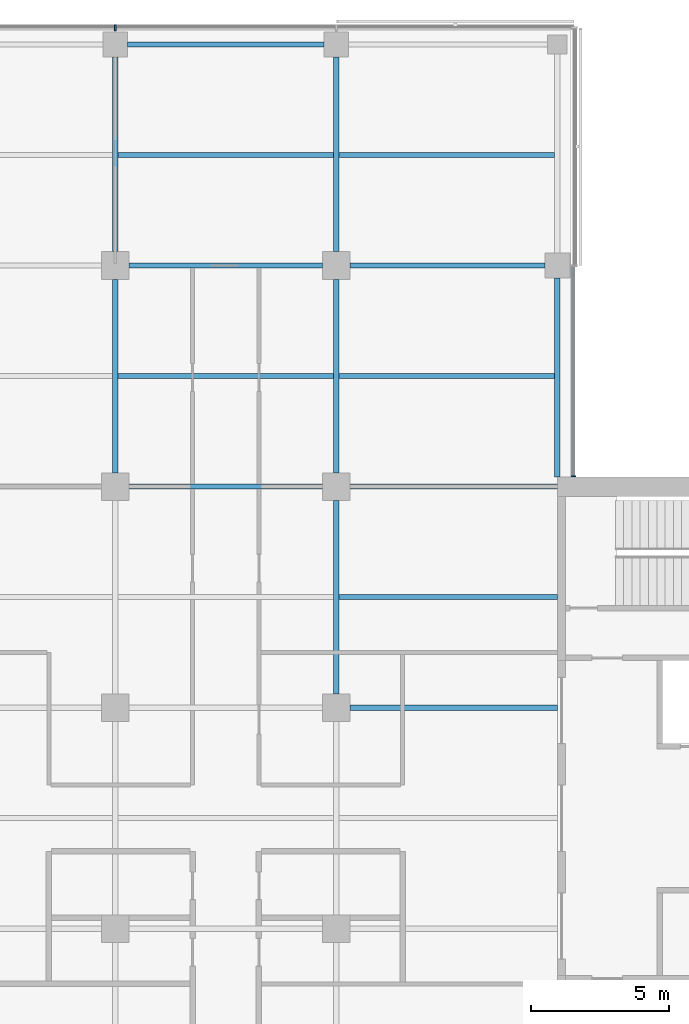
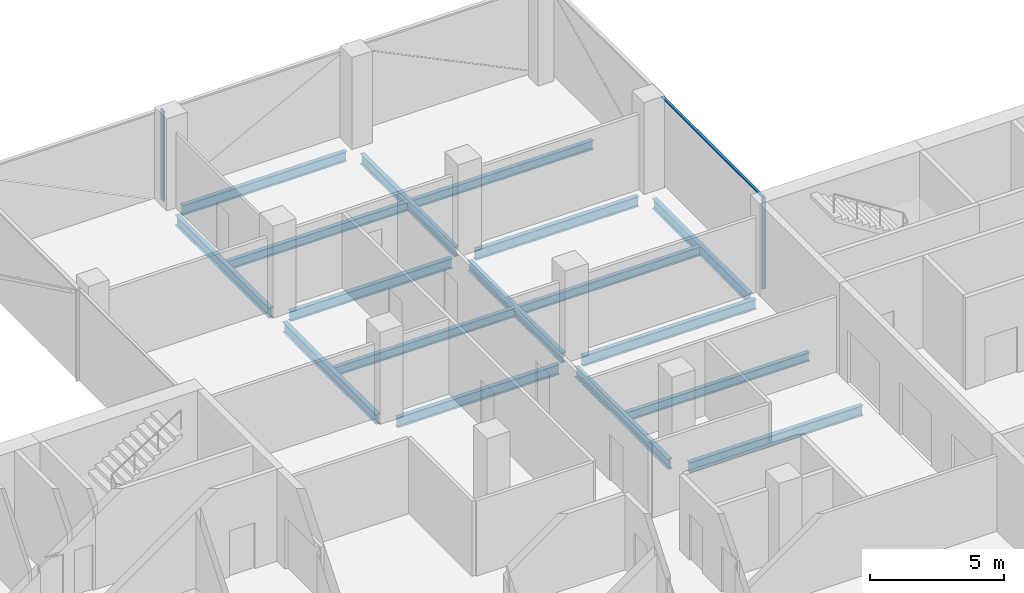
# One storey, part 9 of 22: 17 beams, 3 members, 2 elements without a shape of their own.
"""IFC4 building model written with IfcOpenShell, lengths in metres."""

from ifc_helpers import new_model, si_unit, direction, frame, origin, origin_2d, place, context, subcontext, project, spatial, rectangle, i_section, extrude, material, material_profile, profile_set, type_object, element, aggregate, save


model = new_model("IFC4")

# Units and contexts
model_context = context("Model", 3, precision=1e-05, world=origin(), true_north=direction((0.0, 1.0)))
body_context = subcontext(model_context, "Body", "Model", "MODEL_VIEW")
ifc_project = project(units=[si_unit("LENGTHUNIT", "METRE"), si_unit("AREAUNIT", "SQUARE_METRE"), si_unit("VOLUMEUNIT", "CUBIC_METRE"), si_unit("PLANEANGLEUNIT", "RADIAN"), si_unit("MASSUNIT", "GRAM", prefix="KILO")], contexts=[model_context])

# Site, building, storey
site_placement = place(None, origin())
site = spatial("IfcSite", under=ifc_project, at=site_placement, CompositionType="ELEMENT")
building_placement = place(site_placement, origin())
building = spatial("IfcBuilding", under=site, at=building_placement, Name="Crosswind Convention Tower", CompositionType="ELEMENT")
storey_placement = place(building_placement, frame((0.0, 0.0, 163.10009765625)))
storey = spatial("IfcBuildingStorey", under=building, at=storey_placement, Name="L34", CompositionType="ELEMENT", Elevation=163.10009765625)

# Beams
ifc_material_1 = material(Name="Steel S355", Category="steel")
ifc_material_profile_1 = material_profile(ifc_material_1, i_section(OverallWidth=0.18994140625, OverallDepth=0.45361328125, WebThickness=0.008544921875, FlangeThickness=0.0126953125, FilletRadius=0.01025390625, at=origin_2d()), Name="UB 457x191x67")
ifc_profile_set_1 = profile_set([ifc_material_profile_1], Name="Steel S355")
beam_type_1 = type_object("IfcBeamType", Name="Edge beam UB 457x191x67", PredefinedType="SPANDREL", material=ifc_profile_set_1)
beam_1_placement = place(storey_placement, frame((121.449951171875, 128.0, -0.52685546875), z_axis=(1.0, 0.0, 0.0), x_axis=(0.0, 1.0, 0.0)))
element("IfcBeam", 1, at=beam_1_placement, inside=storey, type_object=beam_type_1, Name="B16 L34 edge beam 13", PredefinedType="SPANDREL", context=body_context, shape_type="SweptSolid", body=[
    extrude(i_section(OverallWidth=0.18994140625, OverallDepth=0.45361328125, WebThickness=0.008544921875, FlangeThickness=0.0126953125, FilletRadius=0.01025390625, at=origin_2d()), origin(), (0.0, 0.0, 1.0), 7.10009765625),
])
beam_2_placement = place(storey_placement, frame((137.0, 112.35009765625, -0.52685546875), z_axis=(0.0, 1.0, 0.0), x_axis=(-1.0, 0.0, 0.0)))
element("IfcBeam", 2, at=beam_2_placement, inside=storey, type_object=beam_type_1, Name="B16 L34 edge beam 18", PredefinedType="SPANDREL", context=body_context, shape_type="SweptSolid", body=[
    extrude(i_section(OverallWidth=0.18994140625, OverallDepth=0.45361328125, WebThickness=0.008544921875, FlangeThickness=0.0126953125, FilletRadius=0.01025390625, at=origin_2d()), origin(), (0.0, 0.0, 1.0), 7.199951171875),
])
ifc_material_profile_2 = material_profile(ifc_material_1, i_section(OverallWidth=0.19140625, OverallDepth=0.460205078125, WebThickness=0.010009765625, FlangeThickness=0.01611328125, FilletRadius=0.01025390625, at=origin_2d()), Name="UB 457x191x82")
ifc_profile_set_2 = profile_set([ifc_material_profile_2], Name="Steel S355")
beam_type_2 = type_object("IfcBeamType", Name="Girder UB 457x191x82", PredefinedType="BEAM", material=ifc_profile_set_2)
beam_3_placement = place(storey_placement, frame((121.0, 112.5, -0.5302734375), z_axis=(0.0, 1.0, 0.0), x_axis=(-1.0, 0.0, 0.0)))
element("IfcBeam", 3, at=beam_3_placement, inside=storey, type_object=beam_type_2, Name="B3 L34 girder 8", PredefinedType="BEAM", context=body_context, shape_type="SweptSolid", body=[
    extrude(i_section(OverallWidth=0.19140625, OverallDepth=0.460205078125, WebThickness=0.010009765625, FlangeThickness=0.01611328125, FilletRadius=0.01025390625, at=origin_2d()), origin(), (0.0, 0.0, 1.0), 7.0),
])
beam_4_placement = place(storey_placement, frame((121.0, 120.5, -0.5302734375), z_axis=(0.0, 1.0, 0.0), x_axis=(-1.0, 0.0, 0.0)))
element("IfcBeam", 4, at=beam_4_placement, inside=storey, type_object=beam_type_2, Name="B3 L34 girder 9", PredefinedType="BEAM", context=body_context, shape_type="SweptSolid", body=[
    extrude(i_section(OverallWidth=0.19140625, OverallDepth=0.460205078125, WebThickness=0.010009765625, FlangeThickness=0.01611328125, FilletRadius=0.01025390625, at=origin_2d()), origin(), (0.0, 0.0, 1.0), 7.050048828125),
])
for number, where, z_axis, x_axis, name in (
    (5, (121.5, 112.0, -0.5302734375), (1.0, 0.0, 0.0), (0.0, 1.0, 0.0), "B3 L34 girder 14"),
    (6, (121.5, 120.0, -0.5302734375), (1.0, 0.0, 0.0), (0.0, 1.0, 0.0), "B3 L34 girder 15"),
    (7, (129.0, 104.5, -0.5302734375), (0.0, 1.0, 0.0), (-1.0, 0.0, 0.0), "B3 L34 girder 20"),
    (8, (129.0, 112.5, -0.5302734375), (0.0, 1.0, 0.0), (-1.0, 0.0, 0.0), "B3 L34 girder 21"),
):
    element("IfcBeam", number, at=place(storey_placement, frame(where, z_axis=z_axis, x_axis=x_axis)), inside=storey, type_object=beam_type_2, Name=name, PredefinedType="BEAM", context=body_context, shape_type="SweptSolid", body=[
        extrude(i_section(OverallWidth=0.19140625, OverallDepth=0.460205078125, WebThickness=0.010009765625, FlangeThickness=0.01611328125, FilletRadius=0.01025390625, at=origin_2d()), origin(), (0.0, 0.0, 1.0), 7.0),
    ])
for number, where, z_axis, x_axis, name in (
    (9, (129.0, 120.5, -0.5302734375), (0.0, 1.0, 0.0), (-1.0, 0.0, 0.0), "B3 L34 girder 22"),
    (10, (129.5, 120.0, -0.5302734375), (1.0, 0.0, 0.0), (0.0, 1.0, 0.0), "B3 L34 girder 24"),
):
    element("IfcBeam", number, at=place(storey_placement, frame(where, z_axis=z_axis, x_axis=x_axis)), inside=storey, type_object=beam_type_2, Name=name, PredefinedType="BEAM", context=body_context, shape_type="SweptSolid", body=[
        extrude(i_section(OverallWidth=0.19140625, OverallDepth=0.460205078125, WebThickness=0.010009765625, FlangeThickness=0.01611328125, FilletRadius=0.01025390625, at=origin_2d()), origin(), (0.0, 0.0, 1.0), 7.050048828125),
    ])
ifc_material_profile_3 = material_profile(ifc_material_1, i_section(OverallWidth=0.19189453125, OverallDepth=0.463623046875, WebThickness=0.010498046875, FlangeThickness=0.017578125, FilletRadius=0.01025390625, at=origin_2d()), Name="UB 457x191x90")
ifc_profile_set_3 = profile_set([ifc_material_profile_3], Name="Steel S355")
beam_type_3 = type_object("IfcBeamType", Name="Girder at core wall UB 457x191x90", PredefinedType="BEAM", material=ifc_profile_set_3)
for number, where, z_axis, x_axis, name in (
    (11, (129.5, 104.0, -0.531982421875), (1.0, 0.0, 0.0), (0.0, 1.0, 0.0), "B24 L34 girder at core wall 9"),
    (12, (129.5, 112.0, -0.531982421875), (1.0, 0.0, 0.0), (0.0, 1.0, 0.0), "B24 L34 girder at core wall 10"),
):
    element("IfcBeam", number, at=place(storey_placement, frame(where, z_axis=z_axis, x_axis=x_axis)), inside=storey, type_object=beam_type_3, Name=name, PredefinedType="BEAM", context=body_context, shape_type="SweptSolid", body=[
        extrude(i_section(OverallWidth=0.19189453125, OverallDepth=0.463623046875, WebThickness=0.010498046875, FlangeThickness=0.017578125, FilletRadius=0.01025390625, at=origin_2d()), origin(), (0.0, 0.0, 1.0), 7.5),
    ])

# Curtain wall, member
ifc_material_2 = material(Name="Aluminium unitised curtain wall", Category="aluminium")
curtain_wall_type_1 = type_object("IfcCurtainWallType", Name="CORE END SLOT WALL 160", PredefinedType="USERDEFINED", material=ifc_material_2)
curtain_wall_1_placement = place(storey_placement, origin())
curtain_wall_1 = element("IfcCurtainWall", 13, at=curtain_wall_1_placement, inside=storey, type_object=curtain_wall_type_1, Name="CW6 L34 N-E.1-1 slot", ObjectType="UNITISED", PredefinedType="USERDEFINED")
ifc_material_3 = material(Name="Aluminium mullion", Category="aluminium")
ifc_material_profile_4 = material_profile(ifc_material_3, rectangle(XDim=0.159912109375, YDim=0.050048828125, at=origin_2d()), Name="AL 160X50")
ifc_profile_set_4 = profile_set([ifc_material_profile_4], Name="Aluminium mullion")
member_type_1 = type_object("IfcMemberType", Name="MULLION 50X160", PredefinedType="MULLION", material=ifc_profile_set_4)
member_1_placement = place(storey_placement, frame((137.580078125, 112.375, -0.300048828125), z_axis=(0.0, 0.0, 1.0), x_axis=(1.0, 0.0, 0.0)))
member_1 = element("IfcMember", 14, at=member_1_placement, type_object=member_type_1, Name="CW6 mullion 1", PredefinedType="MULLION", context=body_context, shape_type="SweptSolid", body=[
    extrude(rectangle(XDim=0.159912109375, YDim=0.050048828125, at=origin_2d()), origin(), (0.0, 0.0, 1.0), 4.14990234375),
])

curtain_wall_type_2 = type_object("IfcCurtainWallType", Name="OFFICE UNITISED WALL 220", PredefinedType="USERDEFINED", material=ifc_material_2)
curtain_wall_2_placement = place(storey_placement, origin())
curtain_wall_2 = element("IfcCurtainWall", 15, at=curtain_wall_2_placement, inside=storey, type_object=curtain_wall_type_2, Name="CW3 L34 N-TIP 1", ObjectType="UNITISED", PredefinedType="USERDEFINED")
ifc_material_profile_5 = material_profile(ifc_material_3, rectangle(XDim=0.219970703125, YDim=0.070068359375, at=origin_2d()), Name="AL 220X70")
ifc_profile_set_5 = profile_set([ifc_material_profile_5], Name="Aluminium mullion")
member_type_2 = type_object("IfcMemberType", Name="MULLION 70X220", PredefinedType="MULLION", material=ifc_profile_set_5)
member_2_placement = place(storey_placement, frame((121.0, 128.610107421875, -0.300048828125), z_axis=(0.0, 0.0, 1.0), x_axis=(0.0, 1.0, 0.0)))
member_2 = element("IfcMember", 16, at=member_2_placement, type_object=member_type_2, Name="CW3 mullion 3", PredefinedType="MULLION", context=body_context, shape_type="SweptSolid", body=[
    extrude(rectangle(XDim=0.219970703125, YDim=0.070068359375, at=origin_2d()), origin(), (0.0, 0.0, 1.0), 4.1298828125),
])
aggregate(curtain_wall_2, [member_2])

# Beams
ifc_material_profile_6 = material_profile(ifc_material_1, i_section(OverallWidth=0.177734375, OverallDepth=0.406494140625, WebThickness=0.0078125, FlangeThickness=0.0126953125, FilletRadius=0.01025390625, at=origin_2d()), Name="UB 406x178x60")
ifc_profile_set_6 = profile_set([ifc_material_profile_6], Name="Steel S355")
beam_type_4 = type_object("IfcBeamType", Name="Secondary beam UB 406x178x60", PredefinedType="JOIST", material=ifc_profile_set_6)
for number, where, z_axis, x_axis, name in (
    (17, (121.095703125, 116.0, -0.50341796875), (1.0, 0.0, 0.0), (0.0, 1.0, 0.0), "B10 L34 secondary beam 16"),
    (18, (121.095703125, 124.0, -0.50341796875), (1.0, 0.0, 0.0), (0.0, 1.0, 0.0), "B10 L34 secondary beam 17"),
):
    element("IfcBeam", number, at=place(storey_placement, frame(where, z_axis=z_axis, x_axis=x_axis)), inside=storey, type_object=beam_type_4, Name=name, PredefinedType="JOIST", context=body_context, shape_type="SweptSolid", body=[
        extrude(i_section(OverallWidth=0.177734375, OverallDepth=0.406494140625, WebThickness=0.0078125, FlangeThickness=0.0126953125, FilletRadius=0.01025390625, at=origin_2d()), origin(), (0.0, 0.0, 1.0), 7.80859375),
    ])
beam_5_placement = place(storey_placement, frame((129.095703125, 108.0, -0.50341796875), z_axis=(1.0, 0.0, 0.0), x_axis=(0.0, 1.0, 0.0)))
element("IfcBeam", 19, at=beam_5_placement, inside=storey, type_object=beam_type_4, Name="B10 L34 secondary beam 22", PredefinedType="JOIST", context=body_context, shape_type="SweptSolid", body=[
    extrude(i_section(OverallWidth=0.177734375, OverallDepth=0.406494140625, WebThickness=0.0078125, FlangeThickness=0.0126953125, FilletRadius=0.01025390625, at=origin_2d()), origin(), (0.0, 0.0, 1.0), 7.904296875),
])
for number, where, z_axis, x_axis, name in (
    (20, (129.095703125, 116.0, -0.50341796875), (1.0, 0.0, 0.0), (0.0, 1.0, 0.0), "B10 L34 secondary beam 23"),
    (21, (129.095703125, 124.0, -0.50341796875), (1.0, 0.0, 0.0), (0.0, 1.0, 0.0), "B10 L34 secondary beam 24"),
):
    element("IfcBeam", number, at=place(storey_placement, frame(where, z_axis=z_axis, x_axis=x_axis)), inside=storey, type_object=beam_type_4, Name=name, PredefinedType="JOIST", context=body_context, shape_type="SweptSolid", body=[
        extrude(i_section(OverallWidth=0.177734375, OverallDepth=0.406494140625, WebThickness=0.0078125, FlangeThickness=0.0126953125, FilletRadius=0.01025390625, at=origin_2d()), origin(), (0.0, 0.0, 1.0), 7.809326171875),
    ])

# Member
ifc_material_4 = material(Name="Aluminium transom", Category="aluminium")
ifc_material_profile_7 = material_profile(ifc_material_4, rectangle(XDim=0.1201171875, YDim=0.050048828125, at=origin_2d()), Name="AL 120X50")
ifc_profile_set_7 = profile_set([ifc_material_profile_7], Name="Aluminium transom")
member_type_3 = type_object("IfcMemberType", Name="TRANSOM 50X120", PredefinedType="USERDEFINED", material=ifc_profile_set_7)
member_3_placement = place(storey_placement, frame((137.580078125, 112.39990234375, 3.875), z_axis=(0.0, 1.0, 0.0), x_axis=(-1.0, 0.0, 0.0)))
member_3 = element("IfcMember", 22, at=member_3_placement, type_object=member_type_3, Name="CW6 transom", ObjectType="TRANSOM", PredefinedType="USERDEFINED", context=body_context, shape_type="SweptSolid", body=[
    extrude(rectangle(XDim=0.1201171875, YDim=0.050048828125, at=origin_2d()), origin(), (0.0, 0.0, 1.0), 7.550048828125),
])

aggregate(curtain_wall_1, [member_1, member_3])

save(model, "model.ifc")
